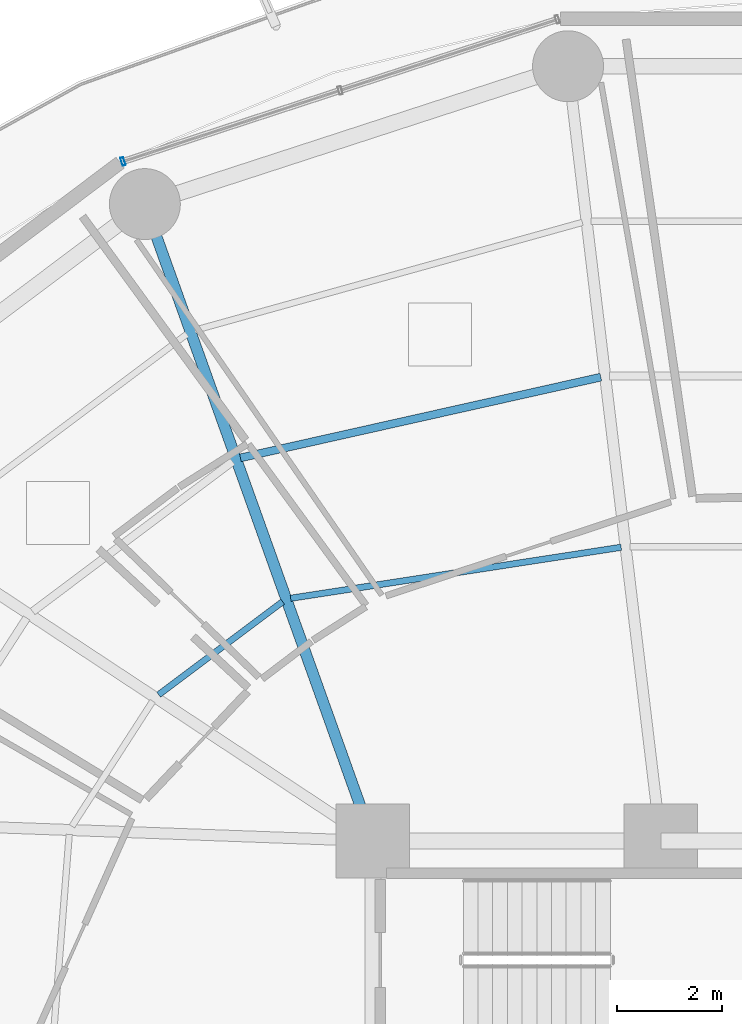
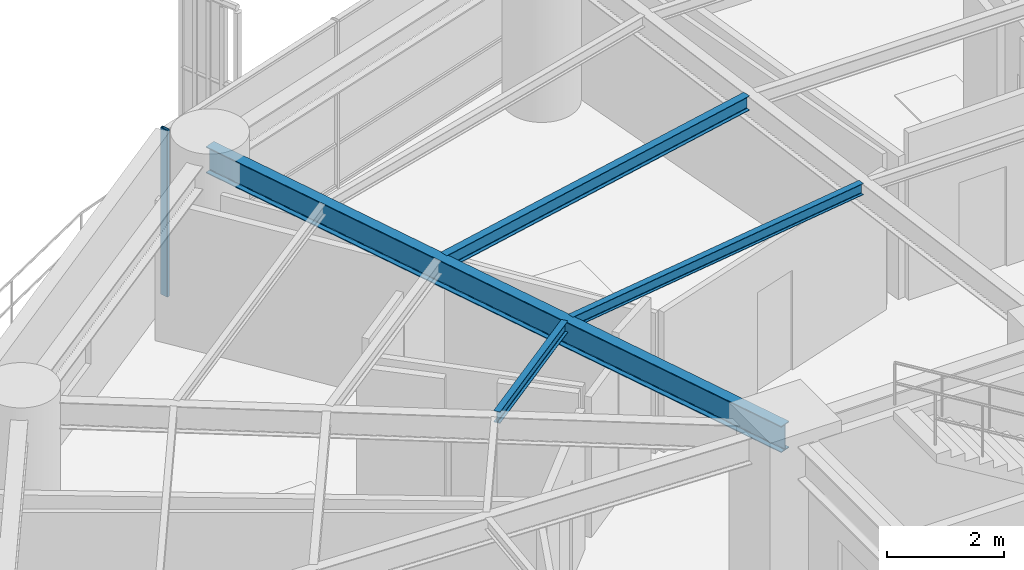
# One storey, part 19 of 35: 4 beams, 1 member, 1 element without a shape of its own.
"""IFC4 building model written with IfcOpenShell, lengths in metres."""

from ifc_helpers import new_model, si_unit, direction, frame, origin, origin_2d, place, context, subcontext, project, spatial, hollow_rectangle, i_section, extrude, material, layer, layer_set, material_profile, profile_set, type_object, element, aggregate, save


model = new_model("IFC4")

# Units and contexts
model_context = context("Model", 3, precision=1e-05, world=origin(), true_north=direction((0.0, 1.0)))
body_context = subcontext(model_context, "Body", "Model", "MODEL_VIEW")
ifc_project = project(units=[si_unit("LENGTHUNIT", "METRE"), si_unit("AREAUNIT", "SQUARE_METRE"), si_unit("VOLUMEUNIT", "CUBIC_METRE"), si_unit("PLANEANGLEUNIT", "RADIAN"), si_unit("MASSUNIT", "GRAM", prefix="KILO")], contexts=[model_context])

# Site, building, storey
site_placement = place(None, origin())
site = spatial("IfcSite", under=ifc_project, at=site_placement, CompositionType="ELEMENT")
building_placement = place(site_placement, origin())
building = spatial("IfcBuilding", under=site, at=building_placement, Name="Kelanora Arch Commons", CompositionType="ELEMENT")
storey_placement = place(building_placement, frame((0.0, 0.0, 95.10009765625)))
storey = spatial("IfcBuildingStorey", under=building, at=storey_placement, Name="L24", CompositionType="ELEMENT", Elevation=95.10009765625)

# Beams
ifc_material_1 = material(Name="Steel S355", Category="steel")
ifc_material_profile_1 = material_profile(ifc_material_1, i_section(OverallWidth=0.14990234375, OverallDepth=0.300048828125, WebThickness=0.007080078125, FlangeThickness=0.0107421875, FilletRadius=0.014892578125, at=origin_2d()), Name="IPE300")
ifc_profile_set_1 = profile_set([ifc_material_profile_1], Name="Steel S355")
beam_type_1 = type_object("IfcBeamType", Name="BM-JST-01", PredefinedType="JOIST", material=ifc_profile_set_1)
beam_1_placement = place(storey_placement, frame((70.337646484375, 73.828125, 3.33984375), z_axis=(-0.975817048791, -0.218588854449, 0.0), x_axis=(0.218588854449, -0.975817048791, 0.0)))
element("IfcBeam", 1, at=beam_1_placement, inside=storey, type_object=beam_type_1, Name="Secondary Chord Joist BJB-10 L24", PredefinedType="JOIST", context=body_context, shape_type="SweptSolid", body=[
    extrude(i_section(OverallWidth=0.14990234375, OverallDepth=0.300048828125, WebThickness=0.007080078125, FlangeThickness=0.0107421875, FilletRadius=0.014892578125, at=origin_2d()), origin(), (0.0, 0.0, 1.0), 7.028564453125),
])
ifc_material_profile_2 = material_profile(ifc_material_1, i_section(OverallWidth=0.1201171875, OverallDepth=0.239990234375, WebThickness=0.006103515625, FlangeThickness=0.009765625, FilletRadius=0.014892578125, at=origin_2d()), Name="IPE240")
ifc_profile_set_2 = profile_set([ifc_material_profile_2], Name="Steel S355")
beam_type_2 = type_object("IfcBeamType", Name="BM-JST-02", PredefinedType="JOIST", material=ifc_profile_set_2)
beam_2_placement = place(storey_placement, frame((70.72509765625, 70.590087890625, 3.369873046875), z_axis=(-0.988295745497, -0.152550055496, 0.0), x_axis=(0.152550055496, -0.988295745497, 0.0)))
element("IfcBeam", 2, at=beam_2_placement, inside=storey, type_object=beam_type_2, Name="Secondary Chord Joist BJA-10 L24", PredefinedType="JOIST", context=body_context, shape_type="SweptSolid", body=[
    extrude(i_section(OverallWidth=0.1201171875, OverallDepth=0.239990234375, WebThickness=0.006103515625, FlangeThickness=0.009765625, FilletRadius=0.014892578125, at=origin_2d()), origin(), (0.0, 0.0, 1.0), 6.36474609375),
])
beam_3_placement = place(storey_placement, frame((64.28271484375, 69.555419921875, 3.369873046875), z_axis=(-0.799692034361, -0.600410401458, 0.0), x_axis=(0.600410401458, -0.799692034361, 0.0)))
element("IfcBeam", 3, at=beam_3_placement, inside=storey, type_object=beam_type_2, Name="Secondary Chord Joist BJA-12 L24", PredefinedType="JOIST", context=body_context, shape_type="SweptSolid", body=[
    extrude(i_section(OverallWidth=0.1201171875, OverallDepth=0.239990234375, WebThickness=0.006103515625, FlangeThickness=0.009765625, FilletRadius=0.014892578125, at=origin_2d()), origin(), (0.0, 0.0, 1.0), 2.949951171875),
])
ifc_material_profile_3 = material_profile(ifc_material_1, i_section(OverallWidth=0.2099609375, OverallDepth=0.550048828125, WebThickness=0.010986328125, FlangeThickness=0.01708984375, FilletRadius=0.02392578125, at=origin_2d()), Name="IPE550")
ifc_profile_set_3 = profile_set([ifc_material_profile_3], Name="Steel S355")
beam_type_3 = type_object("IfcBeamType", Name="BM-RAD-Z2", PredefinedType="BEAM", material=ifc_profile_set_3)
beam_4_placement = place(storey_placement, frame((66.0, 65.0, 3.21484375), z_axis=(-0.337084640008, 0.941474346687, 0.0), x_axis=(-0.941474346687, -0.337084640008, 0.0)))
element("IfcBeam", 4, at=beam_4_placement, inside=storey, type_object=beam_type_3, Name="Radial Floor Girder BR-12 L24", PredefinedType="BEAM", context=body_context, shape_type="SweptSolid", body=[
    extrude(i_section(OverallWidth=0.2099609375, OverallDepth=0.550048828125, WebThickness=0.010986328125, FlangeThickness=0.01708984375, FilletRadius=0.02392578125, at=origin_2d()), origin(), (0.0, 0.0, 1.0), 12.875244140625),
])

# Curtain wall, member
ifc_material_2 = material(Name="Terracotta ceramic-fritted low-E glass and aluminium", Category="masonry")
ifc_layer = layer(ifc_material_2, 0.159912109375)
ifc_layer_set = layer_set([ifc_layer], Name="Terracotta ceramic-fritted low-E glass and aluminium")
curtain_wall_type = type_object("IfcCurtainWallType", Name="CW-SYS-01", PredefinedType="NOTDEFINED", material=ifc_layer_set)
curtain_wall_placement = place(storey_placement, origin())
curtain_wall = element("IfcCurtainWall", 5, at=curtain_wall_placement, inside=storey, type_object=curtain_wall_type, Name="Unitised Curtain Wall L24-B05", PredefinedType="NOTDEFINED")
ifc_material_3 = material(Name="Powder-coated aluminium terracotta", Category="masonry")
ifc_material_profile_4 = material_profile(ifc_material_3, hollow_rectangle(XDim=0.159912109375, YDim=0.06005859375, WallThickness=0.0048828125, InnerFilletRadius=0.0048828125, OuterFilletRadius=0.010009765625, at=origin_2d()), Name="CWM160x60")
ifc_profile_set_4 = profile_set([ifc_material_profile_4], Name="Powder-coated aluminium terracotta")
member_type = type_object("IfcMemberType", Name="CWM-STD", PredefinedType="MULLION", material=ifc_profile_set_4)
member_placement = place(storey_placement, frame((61.242919921875, 77.9326171875, 0.0), z_axis=(0.0, 0.0, 1.0), x_axis=(0.31080470294, -0.950473795867, 0.0)))
member = element("IfcMember", 6, at=member_placement, type_object=member_type, Name="CW-01 mullion 3", PredefinedType="MULLION", context=body_context, shape_type="SweptSolid", body=[
    extrude(hollow_rectangle(XDim=0.159912109375, YDim=0.06005859375, WallThickness=0.0048828125, InnerFilletRadius=0.0048828125, OuterFilletRadius=0.010009765625, at=origin_2d()), origin(), (0.0, 0.0, 1.0), 3.474853515625),
])
aggregate(curtain_wall, [member])

save(model, "model.ifc")
